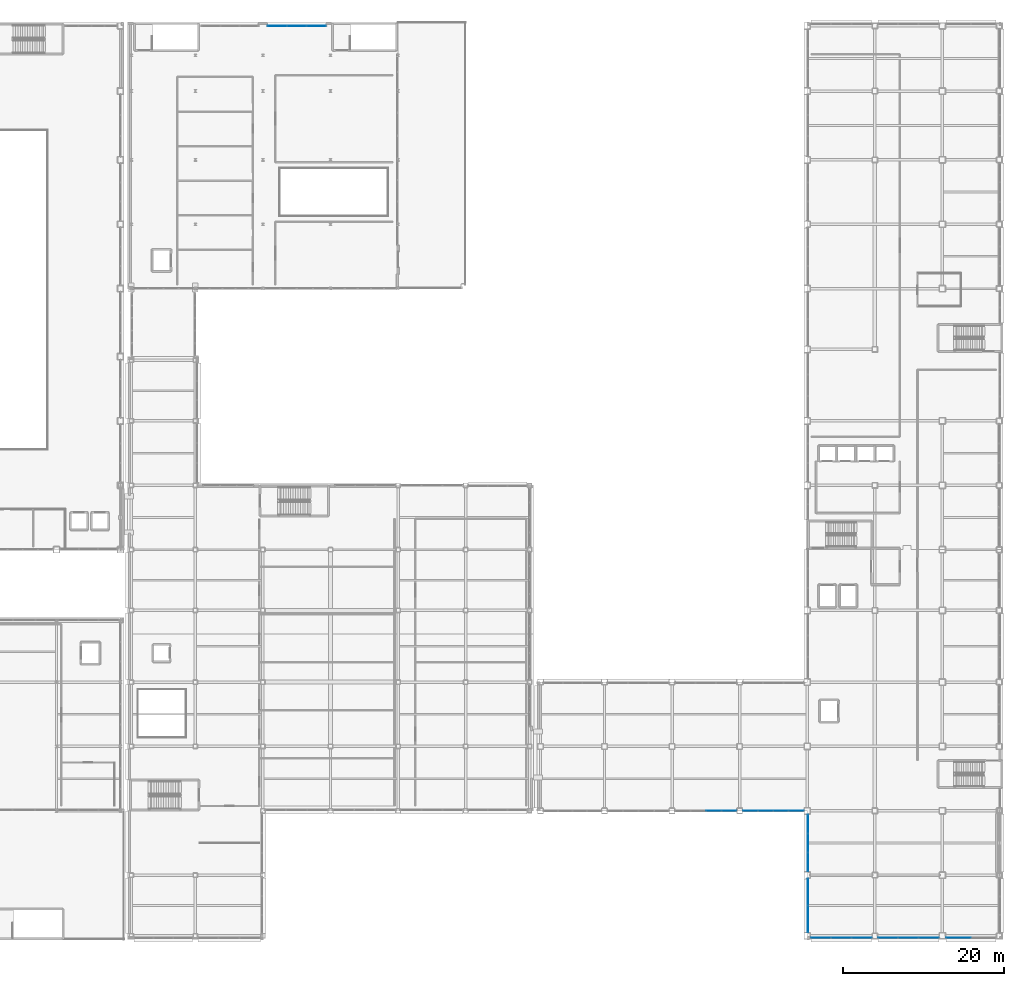
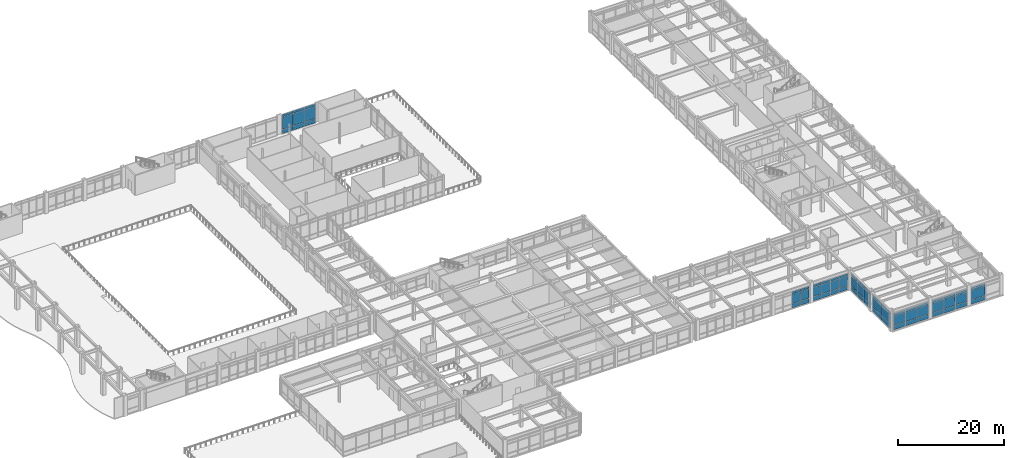
# One storey, part 124 of 154: 63 plates, 8 elements without a shape of their own.
"""IFC4 building model written with IfcOpenShell, lengths in metres."""

from ifc_helpers import new_model, si_unit, direction, frame, origin, origin_2d, place, context, subcontext, project, spatial, rectangle, extrude, material, layer, layer_set, type_object, element, aggregate, save


model = new_model("IFC4")

# Units and contexts
model_context = context("Model", 3, precision=1e-05, world=origin(), true_north=direction((0.0, 1.0)))
body_context = subcontext(model_context, "Body", "Model", "MODEL_VIEW")
ifc_project = project(units=[si_unit("LENGTHUNIT", "METRE"), si_unit("AREAUNIT", "SQUARE_METRE"), si_unit("VOLUMEUNIT", "CUBIC_METRE"), si_unit("PLANEANGLEUNIT", "RADIAN"), si_unit("MASSUNIT", "GRAM", prefix="KILO")], contexts=[model_context])

# Site, building, storey
site_placement = place(None, origin())
site = spatial("IfcSite", under=ifc_project, at=site_placement, CompositionType="ELEMENT")
building_placement = place(site_placement, origin())
building = spatial("IfcBuilding", under=site, at=building_placement, Name="Kazehara Bluff Congress Hotel", CompositionType="ELEMENT")
storey_placement = place(building_placement, frame((0.0, 0.0, 10.199951171875)))
storey = spatial("IfcBuildingStorey", under=building, at=storey_placement, Name="L02", CompositionType="ELEMENT", Elevation=10.199951171875)

# Curtain wall, plates
ifc_material_1 = material(Name="Anodised aluminium", Category="aluminium")
ifc_layer_1 = layer(ifc_material_1, 0.159912109375)
ifc_layer_set_1 = layer_set([ifc_layer_1], Name="Anodised aluminium")
curtain_wall_type_1 = type_object("IfcCurtainWallType", Name="TP-CW-79", PredefinedType="NOTDEFINED", material=ifc_layer_set_1)
curtain_wall_1_placement = place(storey_placement, origin())
curtain_wall_1 = element("IfcCurtainWall", 1, at=curtain_wall_1_placement, inside=storey, type_object=curtain_wall_type_1, Name="L02 curtain wall CW-79 CW-V5-L02-Y1600-12725", PredefinedType="NOTDEFINED")
ifc_material_2 = material(Name="Insulated low-E double glazing", Category="glass")
ifc_layer_2 = layer(ifc_material_2, 0.028076171875)
ifc_layer_set_2 = layer_set([ifc_layer_2], Name="Insulated low-E double glazing")
plate_type_1 = type_object("IfcPlateType", Name="TP-CWP-01", PredefinedType="CURTAIN_PANEL", material=ifc_layer_set_2)
plate_1_placement = place(storey_placement, frame((132.0625, 16.0, 0.06494140625), z_axis=(0.0, 0.0, 1.0), x_axis=(1.0, 0.0, 0.0)))
plate_1 = element("IfcPlate", 2, at=plate_1_placement, type_object=plate_type_1, Name="CW-79 panel 3.1", PredefinedType="CURTAIN_PANEL", context=body_context, shape_type="SweptSolid", body=[
    extrude(rectangle(XDim=1.860107421875, YDim=0.028076171875, at=origin_2d()), origin(), (0.0, 0.0, 1.0), 0.952392578125),
])
plate_2_placement = place(storey_placement, frame((132.0625, 16.0, 1.08251953125), z_axis=(0.0, 0.0, 1.0), x_axis=(1.0, 0.0, 0.0)))
plate_2 = element("IfcPlate", 3, at=plate_2_placement, type_object=plate_type_1, Name="CW-79 panel 3.2", PredefinedType="CURTAIN_PANEL", context=body_context, shape_type="SweptSolid", body=[
    extrude(rectangle(XDim=1.860107421875, YDim=0.028076171875, at=origin_2d()), origin(), (0.0, 0.0, 1.0), 2.1201171875),
])
plate_3_placement = place(storey_placement, frame((132.0625, 16.0, 3.267578125), z_axis=(0.0, 0.0, 1.0), x_axis=(1.0, 0.0, 0.0)))
plate_3 = element("IfcPlate", 4, at=plate_3_placement, type_object=plate_type_1, Name="CW-79 panel 3.3", PredefinedType="CURTAIN_PANEL", context=body_context, shape_type="SweptSolid", body=[
    extrude(rectangle(XDim=1.860107421875, YDim=0.028076171875, at=origin_2d()), origin(), (0.0, 0.0, 1.0), 0.552490234375),
])
plate_4_placement = place(storey_placement, frame((133.97119140625, 16.0, 0.06494140625), z_axis=(0.0, 0.0, 1.0), x_axis=(1.0, 0.0, 0.0)))
plate_4 = element("IfcPlate", 5, at=plate_4_placement, type_object=plate_type_1, Name="CW-79 panel 4.1", PredefinedType="CURTAIN_PANEL", context=body_context, shape_type="SweptSolid", body=[
    extrude(rectangle(XDim=1.827392578125, YDim=0.028076171875, at=origin_2d()), origin(), (0.0, 0.0, 1.0), 0.952392578125),
])
plate_5_placement = place(storey_placement, frame((133.97119140625, 16.0, 1.08251953125), z_axis=(0.0, 0.0, 1.0), x_axis=(1.0, 0.0, 0.0)))
plate_5 = element("IfcPlate", 6, at=plate_5_placement, type_object=plate_type_1, Name="CW-79 panel 4.2", PredefinedType="CURTAIN_PANEL", context=body_context, shape_type="SweptSolid", body=[
    extrude(rectangle(XDim=1.827392578125, YDim=0.028076171875, at=origin_2d()), origin(), (0.0, 0.0, 1.0), 2.1201171875),
])
plate_6_placement = place(storey_placement, frame((133.97119140625, 16.0, 3.267578125), z_axis=(0.0, 0.0, 1.0), x_axis=(1.0, 0.0, 0.0)))
plate_6 = element("IfcPlate", 7, at=plate_6_placement, type_object=plate_type_1, Name="CW-79 panel 4.3", PredefinedType="CURTAIN_PANEL", context=body_context, shape_type="SweptSolid", body=[
    extrude(rectangle(XDim=1.827392578125, YDim=0.028076171875, at=origin_2d()), origin(), (0.0, 0.0, 1.0), 0.552490234375),
])
aggregate(curtain_wall_1, [plate_1, plate_2, plate_3, plate_4, plate_5, plate_6])

ifc_material_3 = material(Name="Anodised aluminium", Category="aluminium")
ifc_layer_3 = layer(ifc_material_3, 0.159912109375)
ifc_layer_set_3 = layer_set([ifc_layer_3], Name="Anodised aluminium")
curtain_wall_type_2 = type_object("IfcCurtainWallType", Name="TP-CW-22", PredefinedType="NOTDEFINED", material=ifc_layer_set_3)
curtain_wall_2_placement = place(storey_placement, origin())
curtain_wall_2 = element("IfcCurtainWall", 8, at=curtain_wall_2_placement, inside=storey, type_object=curtain_wall_type_2, Name="L02 curtain wall CW-22 CW-V5-L02-Y1600-13565", PredefinedType="NOTDEFINED")
plate_7_placement = place(storey_placement, frame((136.62255859375, 16.0, 0.06494140625), z_axis=(0.0, 0.0, 1.0), x_axis=(1.0, 0.0, 0.0)))
plate_7 = element("IfcPlate", 9, at=plate_7_placement, type_object=plate_type_1, Name="CW-22 panel 1.1", PredefinedType="CURTAIN_PANEL", context=body_context, shape_type="SweptSolid", body=[
    extrude(rectangle(XDim=1.81494140625, YDim=0.028076171875, at=origin_2d()), origin(), (0.0, 0.0, 1.0), 0.952392578125),
])
plate_8_placement = place(storey_placement, frame((136.62255859375, 16.0, 1.08251953125), z_axis=(0.0, 0.0, 1.0), x_axis=(1.0, 0.0, 0.0)))
plate_8 = element("IfcPlate", 10, at=plate_8_placement, type_object=plate_type_1, Name="CW-22 panel 1.2", PredefinedType="CURTAIN_PANEL", context=body_context, shape_type="SweptSolid", body=[
    extrude(rectangle(XDim=1.81494140625, YDim=0.028076171875, at=origin_2d()), origin(), (0.0, 0.0, 1.0), 2.1201171875),
])
plate_9_placement = place(storey_placement, frame((136.62255859375, 16.0, 3.267578125), z_axis=(0.0, 0.0, 1.0), x_axis=(1.0, 0.0, 0.0)))
plate_9 = element("IfcPlate", 11, at=plate_9_placement, type_object=plate_type_1, Name="CW-22 panel 1.3", PredefinedType="CURTAIN_PANEL", context=body_context, shape_type="SweptSolid", body=[
    extrude(rectangle(XDim=1.81494140625, YDim=0.028076171875, at=origin_2d()), origin(), (0.0, 0.0, 1.0), 0.552490234375),
])
plate_10_placement = place(storey_placement, frame((138.518798828125, 16.0, 0.06494140625), z_axis=(0.0, 0.0, 1.0), x_axis=(1.0, 0.0, 0.0)))
plate_10 = element("IfcPlate", 12, at=plate_10_placement, type_object=plate_type_1, Name="CW-22 panel 2.1", PredefinedType="CURTAIN_PANEL", context=body_context, shape_type="SweptSolid", body=[
    extrude(rectangle(XDim=1.847412109375, YDim=0.028076171875, at=origin_2d()), origin(), (0.0, 0.0, 1.0), 0.952392578125),
])
plate_11_placement = place(storey_placement, frame((138.518798828125, 16.0, 1.08251953125), z_axis=(0.0, 0.0, 1.0), x_axis=(1.0, 0.0, 0.0)))
plate_11 = element("IfcPlate", 13, at=plate_11_placement, type_object=plate_type_1, Name="CW-22 panel 2.2", PredefinedType="CURTAIN_PANEL", context=body_context, shape_type="SweptSolid", body=[
    extrude(rectangle(XDim=1.847412109375, YDim=0.028076171875, at=origin_2d()), origin(), (0.0, 0.0, 1.0), 2.1201171875),
])
plate_12_placement = place(storey_placement, frame((138.518798828125, 16.0, 3.267578125), z_axis=(0.0, 0.0, 1.0), x_axis=(1.0, 0.0, 0.0)))
plate_12 = element("IfcPlate", 14, at=plate_12_placement, type_object=plate_type_1, Name="CW-22 panel 2.3", PredefinedType="CURTAIN_PANEL", context=body_context, shape_type="SweptSolid", body=[
    extrude(rectangle(XDim=1.847412109375, YDim=0.028076171875, at=origin_2d()), origin(), (0.0, 0.0, 1.0), 0.552490234375),
])
plate_13_placement = place(storey_placement, frame((140.43115234375, 16.0, 0.06494140625), z_axis=(0.0, 0.0, 1.0), x_axis=(1.0, 0.0, 0.0)))
plate_13 = element("IfcPlate", 15, at=plate_13_placement, type_object=plate_type_1, Name="CW-22 panel 3.1", PredefinedType="CURTAIN_PANEL", context=body_context, shape_type="SweptSolid", body=[
    extrude(rectangle(XDim=1.847412109375, YDim=0.028076171875, at=origin_2d()), origin(), (0.0, 0.0, 1.0), 0.952392578125),
])
plate_14_placement = place(storey_placement, frame((140.43115234375, 16.0, 1.08251953125), z_axis=(0.0, 0.0, 1.0), x_axis=(1.0, 0.0, 0.0)))
plate_14 = element("IfcPlate", 16, at=plate_14_placement, type_object=plate_type_1, Name="CW-22 panel 3.2", PredefinedType="CURTAIN_PANEL", context=body_context, shape_type="SweptSolid", body=[
    extrude(rectangle(XDim=1.847412109375, YDim=0.028076171875, at=origin_2d()), origin(), (0.0, 0.0, 1.0), 2.1201171875),
])
plate_15_placement = place(storey_placement, frame((140.43115234375, 16.0, 3.267578125), z_axis=(0.0, 0.0, 1.0), x_axis=(1.0, 0.0, 0.0)))
plate_15 = element("IfcPlate", 17, at=plate_15_placement, type_object=plate_type_1, Name="CW-22 panel 3.3", PredefinedType="CURTAIN_PANEL", context=body_context, shape_type="SweptSolid", body=[
    extrude(rectangle(XDim=1.847412109375, YDim=0.028076171875, at=origin_2d()), origin(), (0.0, 0.0, 1.0), 0.552490234375),
])
plate_16_placement = place(storey_placement, frame((142.327392578125, 16.0, 0.06494140625), z_axis=(0.0, 0.0, 1.0), x_axis=(1.0, 0.0, 0.0)))
plate_16 = element("IfcPlate", 18, at=plate_16_placement, type_object=plate_type_1, Name="CW-22 panel 4.1", PredefinedType="CURTAIN_PANEL", context=body_context, shape_type="SweptSolid", body=[
    extrude(rectangle(XDim=1.81494140625, YDim=0.028076171875, at=origin_2d()), origin(), (0.0, 0.0, 1.0), 0.952392578125),
])
plate_17_placement = place(storey_placement, frame((142.327392578125, 16.0, 1.08251953125), z_axis=(0.0, 0.0, 1.0), x_axis=(1.0, 0.0, 0.0)))
plate_17 = element("IfcPlate", 19, at=plate_17_placement, type_object=plate_type_1, Name="CW-22 panel 4.2", PredefinedType="CURTAIN_PANEL", context=body_context, shape_type="SweptSolid", body=[
    extrude(rectangle(XDim=1.81494140625, YDim=0.028076171875, at=origin_2d()), origin(), (0.0, 0.0, 1.0), 2.1201171875),
])
plate_18_placement = place(storey_placement, frame((142.327392578125, 16.0, 3.267578125), z_axis=(0.0, 0.0, 1.0), x_axis=(1.0, 0.0, 0.0)))
plate_18 = element("IfcPlate", 20, at=plate_18_placement, type_object=plate_type_1, Name="CW-22 panel 4.3", PredefinedType="CURTAIN_PANEL", context=body_context, shape_type="SweptSolid", body=[
    extrude(rectangle(XDim=1.81494140625, YDim=0.028076171875, at=origin_2d()), origin(), (0.0, 0.0, 1.0), 0.552490234375),
])
aggregate(curtain_wall_2, [plate_7, plate_8, plate_9, plate_10, plate_11, plate_12, plate_13, plate_14, plate_15, plate_16, plate_17, plate_18])

curtain_wall_3_placement = place(storey_placement, origin())
curtain_wall_3 = element("IfcCurtainWall", 21, at=curtain_wall_3_placement, inside=storey, type_object=curtain_wall_type_2, Name="L02 curtain wall CW-22 CW-ENC-V5-L02-14793-22", PredefinedType="NOTDEFINED")
plate_19_placement = place(storey_placement, frame((150.458740234375, 0.219970703125, 0.06494140625), z_axis=(0.0, 0.0, 1.0), x_axis=(-1.0, 0.0, 0.0)))
plate_19 = element("IfcPlate", 22, at=plate_19_placement, type_object=plate_type_1, Name="CW-22 panel 1.1", PredefinedType="CURTAIN_PANEL", context=body_context, shape_type="SweptSolid", body=[
    extrude(rectangle(XDim=2.452392578125, YDim=0.028076171875, at=origin_2d()), origin(), (0.0, 0.0, 1.0), 0.952392578125),
])
plate_20_placement = place(storey_placement, frame((150.458740234375, 0.219970703125, 1.08251953125), z_axis=(0.0, 0.0, 1.0), x_axis=(-1.0, 0.0, 0.0)))
plate_20 = element("IfcPlate", 23, at=plate_20_placement, type_object=plate_type_1, Name="CW-22 panel 1.2", PredefinedType="CURTAIN_PANEL", context=body_context, shape_type="SweptSolid", body=[
    extrude(rectangle(XDim=2.452392578125, YDim=0.028076171875, at=origin_2d()), origin(), (0.0, 0.0, 1.0), 2.1201171875),
])
plate_21_placement = place(storey_placement, frame((150.458740234375, 0.219970703125, 3.267578125), z_axis=(0.0, 0.0, 1.0), x_axis=(-1.0, 0.0, 0.0)))
plate_21 = element("IfcPlate", 24, at=plate_21_placement, type_object=plate_type_1, Name="CW-22 panel 1.3", PredefinedType="CURTAIN_PANEL", context=body_context, shape_type="SweptSolid", body=[
    extrude(rectangle(XDim=2.452392578125, YDim=0.028076171875, at=origin_2d()), origin(), (0.0, 0.0, 1.0), 0.552490234375),
])
plate_22_placement = place(storey_placement, frame((147.925048828125, 0.219970703125, 0.06494140625), z_axis=(0.0, 0.0, 1.0), x_axis=(-1.0, 0.0, 0.0)))
plate_22 = element("IfcPlate", 25, at=plate_22_placement, type_object=plate_type_1, Name="CW-22 panel 2.1", PredefinedType="CURTAIN_PANEL", context=body_context, shape_type="SweptSolid", body=[
    extrude(rectangle(XDim=2.485107421875, YDim=0.028076171875, at=origin_2d()), origin(), (0.0, 0.0, 1.0), 0.952392578125),
])
plate_23_placement = place(storey_placement, frame((147.925048828125, 0.219970703125, 1.08251953125), z_axis=(0.0, 0.0, 1.0), x_axis=(-1.0, 0.0, 0.0)))
plate_23 = element("IfcPlate", 26, at=plate_23_placement, type_object=plate_type_1, Name="CW-22 panel 2.2", PredefinedType="CURTAIN_PANEL", context=body_context, shape_type="SweptSolid", body=[
    extrude(rectangle(XDim=2.485107421875, YDim=0.028076171875, at=origin_2d()), origin(), (0.0, 0.0, 1.0), 2.1201171875),
])
plate_24_placement = place(storey_placement, frame((147.925048828125, 0.219970703125, 3.267578125), z_axis=(0.0, 0.0, 1.0), x_axis=(-1.0, 0.0, 0.0)))
plate_24 = element("IfcPlate", 27, at=plate_24_placement, type_object=plate_type_1, Name="CW-22 panel 2.3", PredefinedType="CURTAIN_PANEL", context=body_context, shape_type="SweptSolid", body=[
    extrude(rectangle(XDim=2.485107421875, YDim=0.028076171875, at=origin_2d()), origin(), (0.0, 0.0, 1.0), 0.552490234375),
])
plate_25_placement = place(storey_placement, frame((145.391357421875, 0.219970703125, 0.06494140625), z_axis=(0.0, 0.0, 1.0), x_axis=(-1.0, 0.0, 0.0)))
plate_25 = element("IfcPlate", 28, at=plate_25_placement, type_object=plate_type_1, Name="CW-22 panel 3.1", PredefinedType="CURTAIN_PANEL", context=body_context, shape_type="SweptSolid", body=[
    extrude(rectangle(XDim=2.452392578125, YDim=0.028076171875, at=origin_2d()), origin(), (0.0, 0.0, 1.0), 0.952392578125),
])
plate_26_placement = place(storey_placement, frame((145.391357421875, 0.219970703125, 1.08251953125), z_axis=(0.0, 0.0, 1.0), x_axis=(-1.0, 0.0, 0.0)))
plate_26 = element("IfcPlate", 29, at=plate_26_placement, type_object=plate_type_1, Name="CW-22 panel 3.2", PredefinedType="CURTAIN_PANEL", context=body_context, shape_type="SweptSolid", body=[
    extrude(rectangle(XDim=2.452392578125, YDim=0.028076171875, at=origin_2d()), origin(), (0.0, 0.0, 1.0), 2.1201171875),
])
plate_27_placement = place(storey_placement, frame((145.391357421875, 0.219970703125, 3.267578125), z_axis=(0.0, 0.0, 1.0), x_axis=(-1.0, 0.0, 0.0)))
plate_27 = element("IfcPlate", 30, at=plate_27_placement, type_object=plate_type_1, Name="CW-22 panel 3.3", PredefinedType="CURTAIN_PANEL", context=body_context, shape_type="SweptSolid", body=[
    extrude(rectangle(XDim=2.452392578125, YDim=0.028076171875, at=origin_2d()), origin(), (0.0, 0.0, 1.0), 0.552490234375),
])
aggregate(curtain_wall_3, [plate_19, plate_20, plate_21, plate_22, plate_23, plate_24, plate_25, plate_26, plate_27])

curtain_wall_4_placement = place(storey_placement, origin())
curtain_wall_4 = element("IfcCurtainWall", 31, at=curtain_wall_4_placement, inside=storey, type_object=curtain_wall_type_2, Name="L02 curtain wall CW-22 CW-ENC-V5-L02-15627-22", PredefinedType="NOTDEFINED")
plate_28_placement = place(storey_placement, frame((158.808837890625, 0.219970703125, 0.06494140625), z_axis=(0.0, 0.0, 1.0), x_axis=(-1.0, 0.0, 0.0)))
plate_28 = element("IfcPlate", 32, at=plate_28_placement, type_object=plate_type_1, Name="CW-22 panel 1.1", PredefinedType="CURTAIN_PANEL", context=body_context, shape_type="SweptSolid", body=[
    extrude(rectangle(XDim=2.452392578125, YDim=0.028076171875, at=origin_2d()), origin(), (0.0, 0.0, 1.0), 0.952392578125),
])
plate_29_placement = place(storey_placement, frame((158.808837890625, 0.219970703125, 1.08251953125), z_axis=(0.0, 0.0, 1.0), x_axis=(-1.0, 0.0, 0.0)))
plate_29 = element("IfcPlate", 33, at=plate_29_placement, type_object=plate_type_1, Name="CW-22 panel 1.2", PredefinedType="CURTAIN_PANEL", context=body_context, shape_type="SweptSolid", body=[
    extrude(rectangle(XDim=2.452392578125, YDim=0.028076171875, at=origin_2d()), origin(), (0.0, 0.0, 1.0), 2.1201171875),
])
plate_30_placement = place(storey_placement, frame((158.808837890625, 0.219970703125, 3.267578125), z_axis=(0.0, 0.0, 1.0), x_axis=(-1.0, 0.0, 0.0)))
plate_30 = element("IfcPlate", 34, at=plate_30_placement, type_object=plate_type_1, Name="CW-22 panel 1.3", PredefinedType="CURTAIN_PANEL", context=body_context, shape_type="SweptSolid", body=[
    extrude(rectangle(XDim=2.452392578125, YDim=0.028076171875, at=origin_2d()), origin(), (0.0, 0.0, 1.0), 0.552490234375),
])
plate_31_placement = place(storey_placement, frame((156.27490234375, 0.219970703125, 0.06494140625), z_axis=(0.0, 0.0, 1.0), x_axis=(-1.0, 0.0, 0.0)))
plate_31 = element("IfcPlate", 35, at=plate_31_placement, type_object=plate_type_1, Name="CW-22 panel 2.1", PredefinedType="CURTAIN_PANEL", context=body_context, shape_type="SweptSolid", body=[
    extrude(rectangle(XDim=2.485107421875, YDim=0.028076171875, at=origin_2d()), origin(), (0.0, 0.0, 1.0), 0.952392578125),
])
plate_32_placement = place(storey_placement, frame((156.27490234375, 0.219970703125, 1.08251953125), z_axis=(0.0, 0.0, 1.0), x_axis=(-1.0, 0.0, 0.0)))
plate_32 = element("IfcPlate", 36, at=plate_32_placement, type_object=plate_type_1, Name="CW-22 panel 2.2", PredefinedType="CURTAIN_PANEL", context=body_context, shape_type="SweptSolid", body=[
    extrude(rectangle(XDim=2.485107421875, YDim=0.028076171875, at=origin_2d()), origin(), (0.0, 0.0, 1.0), 2.1201171875),
])
plate_33_placement = place(storey_placement, frame((156.27490234375, 0.219970703125, 3.267578125), z_axis=(0.0, 0.0, 1.0), x_axis=(-1.0, 0.0, 0.0)))
plate_33 = element("IfcPlate", 37, at=plate_33_placement, type_object=plate_type_1, Name="CW-22 panel 2.3", PredefinedType="CURTAIN_PANEL", context=body_context, shape_type="SweptSolid", body=[
    extrude(rectangle(XDim=2.485107421875, YDim=0.028076171875, at=origin_2d()), origin(), (0.0, 0.0, 1.0), 0.552490234375),
])
plate_34_placement = place(storey_placement, frame((153.7412109375, 0.219970703125, 0.06494140625), z_axis=(0.0, 0.0, 1.0), x_axis=(-1.0, 0.0, 0.0)))
plate_34 = element("IfcPlate", 38, at=plate_34_placement, type_object=plate_type_1, Name="CW-22 panel 3.1", PredefinedType="CURTAIN_PANEL", context=body_context, shape_type="SweptSolid", body=[
    extrude(rectangle(XDim=2.452392578125, YDim=0.028076171875, at=origin_2d()), origin(), (0.0, 0.0, 1.0), 0.952392578125),
])
plate_35_placement = place(storey_placement, frame((153.7412109375, 0.219970703125, 1.08251953125), z_axis=(0.0, 0.0, 1.0), x_axis=(-1.0, 0.0, 0.0)))
plate_35 = element("IfcPlate", 39, at=plate_35_placement, type_object=plate_type_1, Name="CW-22 panel 3.2", PredefinedType="CURTAIN_PANEL", context=body_context, shape_type="SweptSolid", body=[
    extrude(rectangle(XDim=2.452392578125, YDim=0.028076171875, at=origin_2d()), origin(), (0.0, 0.0, 1.0), 2.1201171875),
])
plate_36_placement = place(storey_placement, frame((153.7412109375, 0.219970703125, 3.267578125), z_axis=(0.0, 0.0, 1.0), x_axis=(-1.0, 0.0, 0.0)))
plate_36 = element("IfcPlate", 40, at=plate_36_placement, type_object=plate_type_1, Name="CW-22 panel 3.3", PredefinedType="CURTAIN_PANEL", context=body_context, shape_type="SweptSolid", body=[
    extrude(rectangle(XDim=2.452392578125, YDim=0.028076171875, at=origin_2d()), origin(), (0.0, 0.0, 1.0), 0.552490234375),
])
aggregate(curtain_wall_4, [plate_28, plate_29, plate_30, plate_31, plate_32, plate_33, plate_34, plate_35, plate_36])

ifc_material_4 = material(Name="Anodised aluminium", Category="aluminium")
ifc_layer_4 = layer(ifc_material_4, 0.159912109375)
ifc_layer_set_4 = layer_set([ifc_layer_4], Name="Anodised aluminium")
curtain_wall_type_3 = type_object("IfcCurtainWallType", Name="TP-CW-112", PredefinedType="NOTDEFINED", material=ifc_layer_set_4)
curtain_wall_5_placement = place(storey_placement, origin())
curtain_wall_5 = element("IfcCurtainWall", 41, at=curtain_wall_5_placement, inside=storey, type_object=curtain_wall_type_3, Name="L02 curtain wall CW-112 CW-ENC-V5-L02-16405-22", PredefinedType="NOTDEFINED")
plate_37_placement = place(storey_placement, frame((162.489990234375, 0.219970703125, 0.06005859375), z_axis=(0.0, 0.0, 1.0), x_axis=(-1.0, 0.0, 0.0)))
plate_37 = element("IfcPlate", 42, at=plate_37_placement, type_object=plate_type_1, Name="CW-112 panel 2.1", PredefinedType="CURTAIN_PANEL", context=body_context, shape_type="SweptSolid", body=[
    extrude(rectangle(XDim=3.06005859375, YDim=0.028076171875, at=origin_2d()), origin(), (0.0, 0.0, 1.0), 0.9599609375),
])
plate_38_placement = place(storey_placement, frame((162.489990234375, 0.219970703125, 1.080078125), z_axis=(0.0, 0.0, 1.0), x_axis=(-1.0, 0.0, 0.0)))
plate_38 = element("IfcPlate", 43, at=plate_38_placement, type_object=plate_type_1, Name="CW-112 panel 2.2", PredefinedType="CURTAIN_PANEL", context=body_context, shape_type="SweptSolid", body=[
    extrude(rectangle(XDim=3.06005859375, YDim=0.028076171875, at=origin_2d()), origin(), (0.0, 0.0, 1.0), 2.125),
])
plate_39_placement = place(storey_placement, frame((162.489990234375, 0.219970703125, 3.26513671875), z_axis=(0.0, 0.0, 1.0), x_axis=(-1.0, 0.0, 0.0)))
plate_39 = element("IfcPlate", 44, at=plate_39_placement, type_object=plate_type_1, Name="CW-112 panel 2.3", PredefinedType="CURTAIN_PANEL", context=body_context, shape_type="SweptSolid", body=[
    extrude(rectangle(XDim=3.06005859375, YDim=0.028076171875, at=origin_2d()), origin(), (0.0, 0.0, 1.0), 0.56005859375),
])
aggregate(curtain_wall_5, [plate_37, plate_38, plate_39])

ifc_material_5 = material(Name="Anodised aluminium", Category="aluminium")
ifc_layer_5 = layer(ifc_material_5, 0.159912109375)
ifc_layer_set_5 = layer_set([ifc_layer_5], Name="Anodised aluminium")
curtain_wall_type_4 = type_object("IfcCurtainWallType", Name="TP-CW-122", PredefinedType="NOTDEFINED", material=ifc_layer_set_5)
curtain_wall_6_placement = place(storey_placement, origin())
curtain_wall_6 = element("IfcCurtainWall", 45, at=curtain_wall_6_placement, inside=storey, type_object=curtain_wall_type_4, Name="L02 curtain wall CW-122 CW-ENC-V5-L02-14380-422", PredefinedType="NOTDEFINED")
plate_40_placement = place(storey_placement, frame((143.800048828125, 2.5537109375, 0.06494140625), z_axis=(0.0, 0.0, 1.0), x_axis=(0.0, 1.0, 0.0)))
plate_40 = element("IfcPlate", 46, at=plate_40_placement, type_object=plate_type_1, Name="CW-122 panel 1.1", PredefinedType="CURTAIN_PANEL", context=body_context, shape_type="SweptSolid", body=[
    extrude(rectangle(XDim=3.277587890625, YDim=0.028076171875, at=origin_2d()), origin(), (0.0, 0.0, 1.0), 0.952392578125),
])
plate_41_placement = place(storey_placement, frame((143.800048828125, 2.5537109375, 1.08251953125), z_axis=(0.0, 0.0, 1.0), x_axis=(0.0, 1.0, 0.0)))
plate_41 = element("IfcPlate", 47, at=plate_41_placement, type_object=plate_type_1, Name="CW-122 panel 1.2", PredefinedType="CURTAIN_PANEL", context=body_context, shape_type="SweptSolid", body=[
    extrude(rectangle(XDim=3.277587890625, YDim=0.028076171875, at=origin_2d()), origin(), (0.0, 0.0, 1.0), 2.219970703125),
])
plate_42_placement = place(storey_placement, frame((143.800048828125, 2.5537109375, 3.36767578125), z_axis=(0.0, 0.0, 1.0), x_axis=(0.0, 1.0, 0.0)))
plate_42 = element("IfcPlate", 48, at=plate_42_placement, type_object=plate_type_1, Name="CW-122 panel 1.3", PredefinedType="CURTAIN_PANEL", context=body_context, shape_type="SweptSolid", body=[
    extrude(rectangle(XDim=3.277587890625, YDim=0.028076171875, at=origin_2d()), origin(), (0.0, 0.0, 1.0), 0.552490234375),
])
plate_43_placement = place(storey_placement, frame((143.800048828125, 5.896240234375, 0.06494140625), z_axis=(0.0, 0.0, 1.0), x_axis=(0.0, 1.0, 0.0)))
plate_43 = element("IfcPlate", 49, at=plate_43_placement, type_object=plate_type_1, Name="CW-122 panel 2.1", PredefinedType="CURTAIN_PANEL", context=body_context, shape_type="SweptSolid", body=[
    extrude(rectangle(XDim=3.277587890625, YDim=0.028076171875, at=origin_2d()), origin(), (0.0, 0.0, 1.0), 0.952392578125),
])
plate_44_placement = place(storey_placement, frame((143.800048828125, 5.896240234375, 1.08251953125), z_axis=(0.0, 0.0, 1.0), x_axis=(0.0, 1.0, 0.0)))
plate_44 = element("IfcPlate", 50, at=plate_44_placement, type_object=plate_type_1, Name="CW-122 panel 2.2", PredefinedType="CURTAIN_PANEL", context=body_context, shape_type="SweptSolid", body=[
    extrude(rectangle(XDim=3.277587890625, YDim=0.028076171875, at=origin_2d()), origin(), (0.0, 0.0, 1.0), 2.219970703125),
])
plate_45_placement = place(storey_placement, frame((143.800048828125, 5.896240234375, 3.36767578125), z_axis=(0.0, 0.0, 1.0), x_axis=(0.0, 1.0, 0.0)))
plate_45 = element("IfcPlate", 51, at=plate_45_placement, type_object=plate_type_1, Name="CW-122 panel 2.3", PredefinedType="CURTAIN_PANEL", context=body_context, shape_type="SweptSolid", body=[
    extrude(rectangle(XDim=3.277587890625, YDim=0.028076171875, at=origin_2d()), origin(), (0.0, 0.0, 1.0), 0.552490234375),
])
aggregate(curtain_wall_6, [plate_40, plate_41, plate_42, plate_43, plate_44, plate_45])

ifc_material_6 = material(Name="Anodised aluminium", Category="aluminium")
ifc_layer_6 = layer(ifc_material_6, 0.159912109375)
ifc_layer_set_6 = layer_set([ifc_layer_6], Name="Anodised aluminium")
curtain_wall_type_5 = type_object("IfcCurtainWallType", Name="TP-CW-120", PredefinedType="NOTDEFINED", material=ifc_layer_set_6)
curtain_wall_7_placement = place(storey_placement, origin())
curtain_wall_7 = element("IfcCurtainWall", 52, at=curtain_wall_7_placement, inside=storey, type_object=curtain_wall_type_5, Name="L02 curtain wall CW-120 CW-ENC-V5-L02-14380-1200", PredefinedType="NOTDEFINED")
plate_46_placement = place(storey_placement, frame((143.800048828125, 9.6162109375, 0.06494140625), z_axis=(0.0, 0.0, 1.0), x_axis=(0.0, 1.0, 0.0)))
plate_46 = element("IfcPlate", 53, at=plate_46_placement, type_object=plate_type_1, Name="CW-120 panel 1.1", PredefinedType="CURTAIN_PANEL", context=body_context, shape_type="SweptSolid", body=[
    extrude(rectangle(XDim=2.302490234375, YDim=0.028076171875, at=origin_2d()), origin(), (0.0, 0.0, 1.0), 0.952392578125),
])
plate_47_placement = place(storey_placement, frame((143.800048828125, 9.6162109375, 1.08251953125), z_axis=(0.0, 0.0, 1.0), x_axis=(0.0, 1.0, 0.0)))
plate_47 = element("IfcPlate", 54, at=plate_47_placement, type_object=plate_type_1, Name="CW-120 panel 1.2", PredefinedType="CURTAIN_PANEL", context=body_context, shape_type="SweptSolid", body=[
    extrude(rectangle(XDim=2.302490234375, YDim=0.028076171875, at=origin_2d()), origin(), (0.0, 0.0, 1.0), 2.219970703125),
])
plate_48_placement = place(storey_placement, frame((143.800048828125, 9.6162109375, 3.36767578125), z_axis=(0.0, 0.0, 1.0), x_axis=(0.0, 1.0, 0.0)))
plate_48 = element("IfcPlate", 55, at=plate_48_placement, type_object=plate_type_1, Name="CW-120 panel 1.3", PredefinedType="CURTAIN_PANEL", context=body_context, shape_type="SweptSolid", body=[
    extrude(rectangle(XDim=2.302490234375, YDim=0.028076171875, at=origin_2d()), origin(), (0.0, 0.0, 1.0), 0.552490234375),
])
plate_49_placement = place(storey_placement, frame((143.800048828125, 12.0, 0.06494140625), z_axis=(0.0, 0.0, 1.0), x_axis=(0.0, 1.0, 0.0)))
plate_49 = element("IfcPlate", 56, at=plate_49_placement, type_object=plate_type_1, Name="CW-120 panel 2.1", PredefinedType="CURTAIN_PANEL", context=body_context, shape_type="SweptSolid", body=[
    extrude(rectangle(XDim=2.3349609375, YDim=0.028076171875, at=origin_2d()), origin(), (0.0, 0.0, 1.0), 0.952392578125),
])
plate_50_placement = place(storey_placement, frame((143.800048828125, 12.0, 1.08251953125), z_axis=(0.0, 0.0, 1.0), x_axis=(0.0, 1.0, 0.0)))
plate_50 = element("IfcPlate", 57, at=plate_50_placement, type_object=plate_type_1, Name="CW-120 panel 2.2", PredefinedType="CURTAIN_PANEL", context=body_context, shape_type="SweptSolid", body=[
    extrude(rectangle(XDim=2.3349609375, YDim=0.028076171875, at=origin_2d()), origin(), (0.0, 0.0, 1.0), 2.219970703125),
])
plate_51_placement = place(storey_placement, frame((143.800048828125, 12.0, 3.36767578125), z_axis=(0.0, 0.0, 1.0), x_axis=(0.0, 1.0, 0.0)))
plate_51 = element("IfcPlate", 58, at=plate_51_placement, type_object=plate_type_1, Name="CW-120 panel 2.3", PredefinedType="CURTAIN_PANEL", context=body_context, shape_type="SweptSolid", body=[
    extrude(rectangle(XDim=2.3349609375, YDim=0.028076171875, at=origin_2d()), origin(), (0.0, 0.0, 1.0), 0.552490234375),
])
plate_52_placement = place(storey_placement, frame((143.800048828125, 14.3837890625, 0.06494140625), z_axis=(0.0, 0.0, 1.0), x_axis=(0.0, 1.0, 0.0)))
plate_52 = element("IfcPlate", 59, at=plate_52_placement, type_object=plate_type_1, Name="CW-120 panel 3.1", PredefinedType="CURTAIN_PANEL", context=body_context, shape_type="SweptSolid", body=[
    extrude(rectangle(XDim=2.302490234375, YDim=0.028076171875, at=origin_2d()), origin(), (0.0, 0.0, 1.0), 0.952392578125),
])
plate_53_placement = place(storey_placement, frame((143.800048828125, 14.3837890625, 1.08251953125), z_axis=(0.0, 0.0, 1.0), x_axis=(0.0, 1.0, 0.0)))
plate_53 = element("IfcPlate", 60, at=plate_53_placement, type_object=plate_type_1, Name="CW-120 panel 3.2", PredefinedType="CURTAIN_PANEL", context=body_context, shape_type="SweptSolid", body=[
    extrude(rectangle(XDim=2.302490234375, YDim=0.028076171875, at=origin_2d()), origin(), (0.0, 0.0, 1.0), 2.219970703125),
])
plate_54_placement = place(storey_placement, frame((143.800048828125, 14.3837890625, 3.36767578125), z_axis=(0.0, 0.0, 1.0), x_axis=(0.0, 1.0, 0.0)))
plate_54 = element("IfcPlate", 61, at=plate_54_placement, type_object=plate_type_1, Name="CW-120 panel 3.3", PredefinedType="CURTAIN_PANEL", context=body_context, shape_type="SweptSolid", body=[
    extrude(rectangle(XDim=2.302490234375, YDim=0.028076171875, at=origin_2d()), origin(), (0.0, 0.0, 1.0), 0.552490234375),
])
aggregate(curtain_wall_7, [plate_46, plate_47, plate_48, plate_49, plate_50, plate_51, plate_52, plate_53, plate_54])

ifc_material_7 = material(Name="Anodised aluminium", Category="aluminium")
ifc_layer_7 = layer(ifc_material_7, 0.159912109375)
ifc_layer_set_7 = layer_set([ifc_layer_7], Name="Anodised aluminium")
curtain_wall_type_6 = type_object("IfcCurtainWallType", Name="TP-CW-48", PredefinedType="NOTDEFINED", material=ifc_layer_set_7)
curtain_wall_8_placement = place(storey_placement, origin())
curtain_wall_8 = element("IfcCurtainWall", 62, at=curtain_wall_8_placement, inside=storey, type_object=curtain_wall_type_6, Name="L02 curtain wall CW-48 CW-V3-L02-Y11355-7660", PredefinedType="NOTDEFINED")
ifc_material_8 = material(Name="Insulated low-E double glazing", Category="glass")
ifc_layer_8 = layer(ifc_material_8, 0.031982421875)
ifc_layer_set_8 = layer_set([ifc_layer_8], Name="Insulated low-E double glazing")
plate_type_2 = type_object("IfcPlateType", Name="TP-CWP-02", PredefinedType="CURTAIN_PANEL", material=ifc_layer_set_8)
plate_55_placement = place(storey_placement, frame((77.834228515625, 113.550048828125, 0.06494140625), z_axis=(0.0, 0.0, 1.0), x_axis=(1.0, 0.0, 0.0)))
plate_55 = element("IfcPlate", 63, at=plate_55_placement, type_object=plate_type_2, Name="CW-48 panel 1.1", PredefinedType="CURTAIN_PANEL", context=body_context, shape_type="SweptSolid", body=[
    extrude(rectangle(XDim=2.328369140625, YDim=0.031982421875, at=origin_2d()), origin(), (0.0, 0.0, 1.0), 0.952392578125),
])
plate_56_placement = place(storey_placement, frame((77.834228515625, 113.550048828125, 1.08251953125), z_axis=(0.0, 0.0, 1.0), x_axis=(1.0, 0.0, 0.0)))
plate_56 = element("IfcPlate", 64, at=plate_56_placement, type_object=plate_type_2, Name="CW-48 panel 1.2", PredefinedType="CURTAIN_PANEL", context=body_context, shape_type="SweptSolid", body=[
    extrude(rectangle(XDim=2.328369140625, YDim=0.031982421875, at=origin_2d()), origin(), (0.0, 0.0, 1.0), 2.780029296875),
])
plate_57_placement = place(storey_placement, frame((77.834228515625, 113.550048828125, 3.927734375), z_axis=(0.0, 0.0, 1.0), x_axis=(1.0, 0.0, 0.0)))
plate_57 = element("IfcPlate", 65, at=plate_57_placement, type_object=plate_type_2, Name="CW-48 panel 1.3", PredefinedType="CURTAIN_PANEL", context=body_context, shape_type="SweptSolid", body=[
    extrude(rectangle(XDim=2.328369140625, YDim=0.031982421875, at=origin_2d()), origin(), (0.0, 0.0, 1.0), 0.552490234375),
])
plate_58_placement = place(storey_placement, frame((80.25, 113.550048828125, 0.06494140625), z_axis=(0.0, 0.0, 1.0), x_axis=(1.0, 0.0, 0.0)))
plate_58 = element("IfcPlate", 66, at=plate_58_placement, type_object=plate_type_2, Name="CW-48 panel 2.1", PredefinedType="CURTAIN_PANEL", context=body_context, shape_type="SweptSolid", body=[
    extrude(rectangle(XDim=2.36328125, YDim=0.031982421875, at=origin_2d()), origin(), (0.0, 0.0, 1.0), 0.952392578125),
])
plate_59_placement = place(storey_placement, frame((80.25, 113.550048828125, 1.08251953125), z_axis=(0.0, 0.0, 1.0), x_axis=(1.0, 0.0, 0.0)))
plate_59 = element("IfcPlate", 67, at=plate_59_placement, type_object=plate_type_2, Name="CW-48 panel 2.2", PredefinedType="CURTAIN_PANEL", context=body_context, shape_type="SweptSolid", body=[
    extrude(rectangle(XDim=2.36328125, YDim=0.031982421875, at=origin_2d()), origin(), (0.0, 0.0, 1.0), 2.780029296875),
])
plate_60_placement = place(storey_placement, frame((80.25, 113.550048828125, 3.927734375), z_axis=(0.0, 0.0, 1.0), x_axis=(1.0, 0.0, 0.0)))
plate_60 = element("IfcPlate", 68, at=plate_60_placement, type_object=plate_type_2, Name="CW-48 panel 2.3", PredefinedType="CURTAIN_PANEL", context=body_context, shape_type="SweptSolid", body=[
    extrude(rectangle(XDim=2.36328125, YDim=0.031982421875, at=origin_2d()), origin(), (0.0, 0.0, 1.0), 0.552490234375),
])
plate_61_placement = place(storey_placement, frame((82.665771484375, 113.550048828125, 0.06494140625), z_axis=(0.0, 0.0, 1.0), x_axis=(1.0, 0.0, 0.0)))
plate_61 = element("IfcPlate", 69, at=plate_61_placement, type_object=plate_type_2, Name="CW-48 panel 3.1", PredefinedType="CURTAIN_PANEL", context=body_context, shape_type="SweptSolid", body=[
    extrude(rectangle(XDim=2.328369140625, YDim=0.031982421875, at=origin_2d()), origin(), (0.0, 0.0, 1.0), 0.952392578125),
])
plate_62_placement = place(storey_placement, frame((82.665771484375, 113.550048828125, 1.08251953125), z_axis=(0.0, 0.0, 1.0), x_axis=(1.0, 0.0, 0.0)))
plate_62 = element("IfcPlate", 70, at=plate_62_placement, type_object=plate_type_2, Name="CW-48 panel 3.2", PredefinedType="CURTAIN_PANEL", context=body_context, shape_type="SweptSolid", body=[
    extrude(rectangle(XDim=2.328369140625, YDim=0.031982421875, at=origin_2d()), origin(), (0.0, 0.0, 1.0), 2.780029296875),
])
plate_63_placement = place(storey_placement, frame((82.665771484375, 113.550048828125, 3.927734375), z_axis=(0.0, 0.0, 1.0), x_axis=(1.0, 0.0, 0.0)))
plate_63 = element("IfcPlate", 71, at=plate_63_placement, type_object=plate_type_2, Name="CW-48 panel 3.3", PredefinedType="CURTAIN_PANEL", context=body_context, shape_type="SweptSolid", body=[
    extrude(rectangle(XDim=2.328369140625, YDim=0.031982421875, at=origin_2d()), origin(), (0.0, 0.0, 1.0), 0.552490234375),
])
aggregate(curtain_wall_8, [plate_55, plate_56, plate_57, plate_58, plate_59, plate_60, plate_61, plate_62, plate_63])

save(model, "model.ifc")
